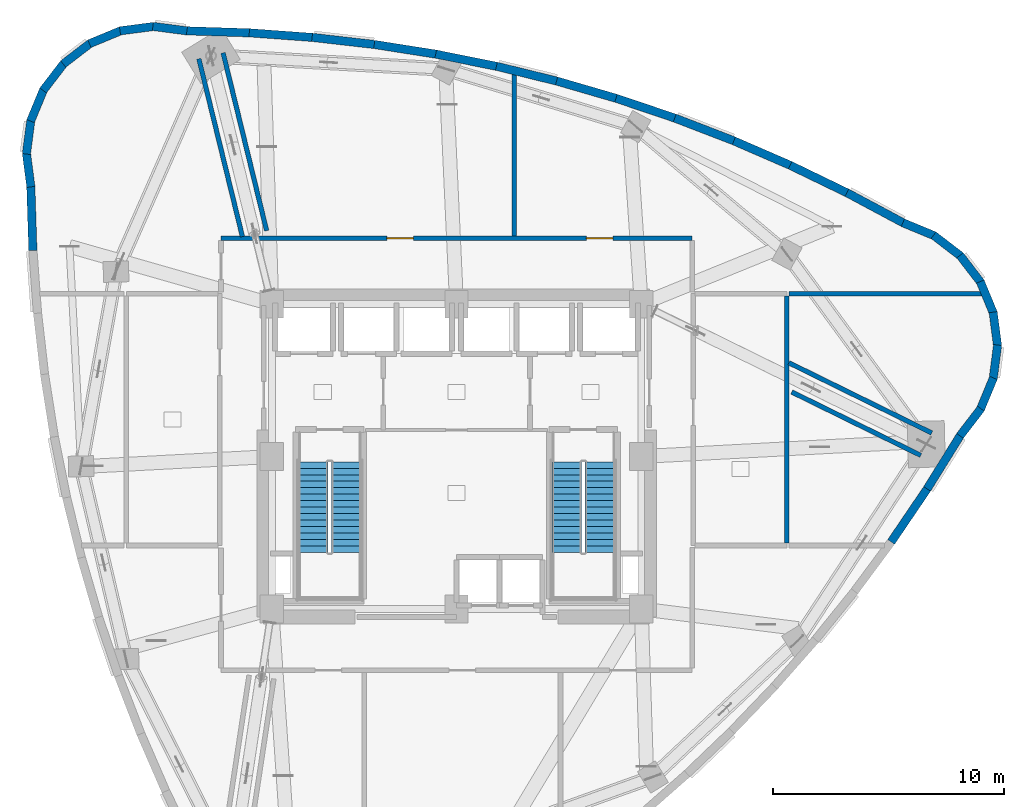
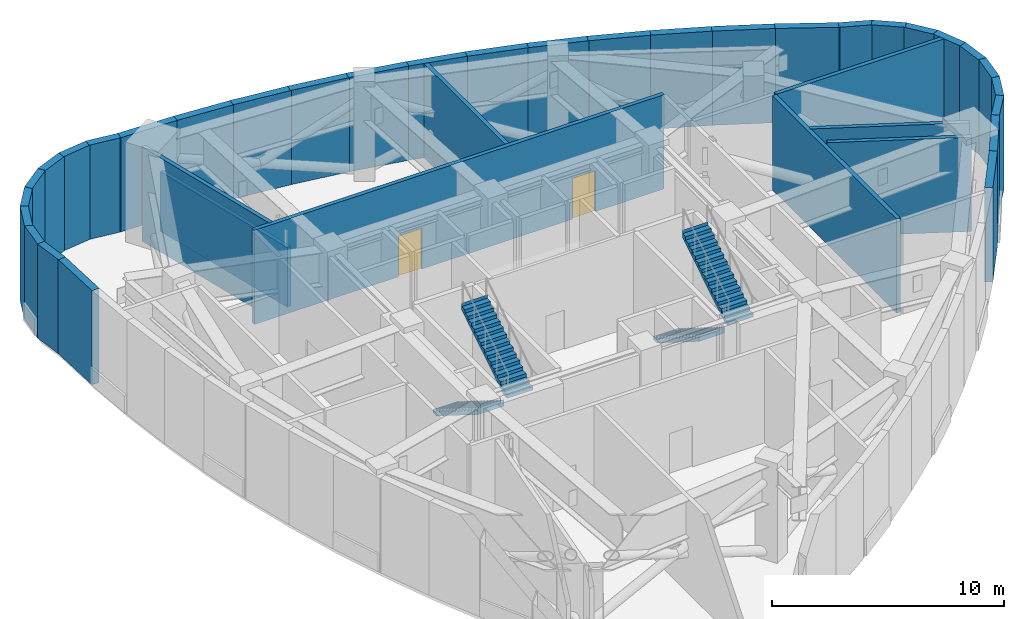
# One storey, part 9 of 12: 39 walls, 4 stair flights, 2 doors, 2 openings, 2 elements without a shape of their own.
"""IFC4 building model written with IfcOpenShell, lengths in metres."""

from ifc_helpers import new_model, si_unit, direction, frame, frame_2d, origin, place, context, subcontext, project, spatial, polyline, rectangle, outline, extrude, material, layer, layer_set, type_object, element, fill, aggregate, save


model = new_model("IFC4")

# Units and contexts
model_context = context("Model", 3, precision=1e-05, world=origin(), true_north=direction((0.0, 1.0)))
body_context = subcontext(model_context, "Body", "Model", "MODEL_VIEW")
ifc_project = project(units=[si_unit("LENGTHUNIT", "METRE"), si_unit("AREAUNIT", "SQUARE_METRE"), si_unit("VOLUMEUNIT", "CUBIC_METRE"), si_unit("PLANEANGLEUNIT", "RADIAN"), si_unit("MASSUNIT", "GRAM", prefix="KILO")], contexts=[model_context])

# Site, building, storey
site_placement = place(None, origin())
site = spatial("IfcSite", under=ifc_project, at=site_placement, CompositionType="ELEMENT")
building_placement = place(site_placement, origin())
building = spatial("IfcBuilding", under=site, at=building_placement, Name="Ndelora Gate Hotel", CompositionType="ELEMENT")
storey_placement = place(building_placement, frame((0.0, 0.0, 168.5)))
storey = spatial("IfcBuildingStorey", under=building, at=storey_placement, Name="L42", CompositionType="ELEMENT", Elevation=168.5)

# Walls
ifc_material_1 = material(Name="Clay Brick Masonry", Category="masonry")
ifc_layer_1 = layer(ifc_material_1, 0.360107421875)
ifc_layer_set_1 = layer_set([ifc_layer_1], Name="Clay Brick Masonry")
wall_type_1 = type_object("IfcWallType", Name="WL-BRICK-360", PredefinedType="SOLIDWALL", material=ifc_layer_set_1)
for number, where, z_axis, x_axis, name in (
    (1, (-13.14892578125, 18.62744140625, 0.0), (0.0, 0.0, 1.0), (0.991431910976, -0.130624522576, 0.0), "L42 Tower Brick Pier-and-Spandrel Wall TWR-1"),
    (2, (-14.572509765625, 18.433349609375, 0.0), (0.0, 0.0, 1.0), (0.991431910976, 0.130624522576, 0.0), "L42 Tower Brick Pier-and-Spandrel Wall TWR-2"),
    (3, (-15.897216796875, 17.877685546875, 0.0), (0.0, 0.0, 1.0), (0.923886669429, 0.382666201867, 0.0), "L42 Tower Brick Pier-and-Spandrel Wall TWR-3"),
    (4, (-17.032958984375, 16.998046875, 0.0), (0.0, 0.0, 1.0), (0.793325936538, 0.608797140611, 0.0), "L42 Tower Brick Pier-and-Spandrel Wall TWR-4"),
    (5, (-17.902587890625, 15.854248046875, 0.0), (0.0, 0.0, 1.0), (0.608797140611, 0.793325936538, 0.0), "L42 Tower Brick Pier-and-Spandrel Wall TWR-5"),
    (6, (-18.4462890625, 14.5244140625, 0.0), (0.0, 0.0, 1.0), (0.382666201867, 0.923886669429, 0.0), "L42 Tower Brick Pier-and-Spandrel Wall TWR-6"),
    (7, (-18.62744140625, 13.099365234375, 0.0), (0.0, 0.0, 1.0), (0.130624522576, 0.991431910976, 0.0), "L42 Tower Brick Pier-and-Spandrel Wall TWR-7"),
    (8, (-18.433349609375, 11.67578125, 0.0), (0.0, 0.0, 1.0), (-0.130624522576, 0.991431910976, 0.0), "L42 Tower Brick Pier-and-Spandrel Wall TWR-8"),
):
    element("IfcWall", number, at=place(storey_placement, frame(where, z_axis=z_axis, x_axis=x_axis)), inside=storey, type_object=wall_type_1, Name=name, PredefinedType="SOLIDWALL", context=body_context, shape_type="SweptSolid", body=[
        extrude(rectangle(XDim=1.48583984375, YDim=0.360107421875, at=frame_2d((0.742919921875, 0.0))), origin(), (0.0, 0.0, 1.0), 4.9599609375),
    ])
wall_1_placement = place(storey_placement, frame((-18.34765625, 8.92578125, 0.0), z_axis=(0.0, 0.0, 1.0), x_axis=(-0.032072783156, 0.999485535954, 0.0)))
element("IfcWall", 9, at=wall_1_placement, inside=storey, type_object=wall_type_1, Name="L42 Tower Brick Pier-and-Spandrel Wall TWR-9", PredefinedType="SOLIDWALL", context=body_context, shape_type="SweptSolid", body=[
    extrude(rectangle(XDim=2.80126953125, YDim=0.360107421875, at=frame_2d((1.400634765625, 0.0))), origin(), (0.0, 0.0, 1.0), 4.9599609375),
])
wall_2_placement = place(storey_placement, frame((20.379638671875, -1.40185546875, 0.0), z_axis=(0.0, 0.0, 1.0), x_axis=(-0.56165831684, -0.827369285824, 0.0)))
element("IfcWall", 10, at=wall_2_placement, inside=storey, type_object=wall_type_1, Name="L42 Tower Brick Pier-and-Spandrel Wall TWR-39", PredefinedType="SOLIDWALL", context=body_context, shape_type="SweptSolid", body=[
    extrude(rectangle(XDim=2.777587890625, YDim=0.360107421875, at=frame_2d((1.388671875, 0.0))), origin(), (0.0, 0.0, 1.0), 4.9599609375),
])
wall_3_placement = place(storey_placement, frame((21.830078125, 0.935791015625, 0.0), z_axis=(0.0, 0.0, 1.0), x_axis=(-0.527599341891, -0.849493339842, 0.0)))
element("IfcWall", 11, at=wall_3_placement, inside=storey, type_object=wall_type_1, Name="L42 Tower Brick Pier-and-Spandrel Wall TWR-40", PredefinedType="SOLIDWALL", context=body_context, shape_type="SweptSolid", body=[
    extrude(rectangle(XDim=2.801025390625, YDim=0.360107421875, at=frame_2d((1.400390625, 0.0))), origin(), (0.0, 0.0, 1.0), 4.9599609375),
])
for number, where, z_axis, x_axis, name in (
    (12, (22.706298828125, 2.073486328125, 0.0), (0.0, 0.0, 1.0), (-0.608876509188, -0.793265022902, 0.0), "L42 Tower Brick Pier-and-Spandrel Wall TWR-41"),
    (13, (23.25, 3.4033203125, 0.0), (0.0, 0.0, 1.0), (-0.382724298331, -0.923862604215, 0.0), "L42 Tower Brick Pier-and-Spandrel Wall TWR-42"),
):
    element("IfcWall", number, at=place(storey_placement, frame(where, z_axis=z_axis, x_axis=x_axis)), inside=storey, type_object=wall_type_1, Name=name, PredefinedType="SOLIDWALL", context=body_context, shape_type="SweptSolid", body=[
        extrude(rectangle(XDim=1.485595703125, YDim=0.360107421875, at=frame_2d((0.74267578125, 0.0))), origin(), (0.0, 0.0, 1.0), 4.9599609375),
    ])
for number, where, z_axis, x_axis, name in (
    (14, (23.43115234375, 4.82861328125, 0.0), (0.0, 0.0, 1.0), (-0.130463013345, -0.991453176983, 0.0), "L42 Tower Brick Pier-and-Spandrel Wall TWR-43"),
    (15, (23.2373046875, 6.252197265625, 0.0), (0.0, 0.0, 1.0), (0.130463013345, -0.991453176983, 0.0), "L42 Tower Brick Pier-and-Spandrel Wall TWR-44"),
    (16, (22.681396484375, 7.576904296875, 0.0), (0.0, 0.0, 1.0), (0.382666201867, -0.923886669429, 0.0), "L42 Tower Brick Pier-and-Spandrel Wall TWR-45"),
    (17, (21.8017578125, 8.712646484375, 0.0), (0.0, 0.0, 1.0), (0.608797140611, -0.793325936538, 0.0), "L42 Tower Brick Pier-and-Spandrel Wall TWR-46"),
):
    element("IfcWall", number, at=place(storey_placement, frame(where, z_axis=z_axis, x_axis=x_axis)), inside=storey, type_object=wall_type_1, Name=name, PredefinedType="SOLIDWALL", context=body_context, shape_type="SweptSolid", body=[
        extrude(rectangle(XDim=1.48583984375, YDim=0.360107421875, at=frame_2d((0.742919921875, 0.0))), origin(), (0.0, 0.0, 1.0), 4.9599609375),
    ])
for number, where, z_axis, x_axis, name in (
    (18, (20.658203125, 9.58203125, 0.0), (0.0, 0.0, 1.0), (0.793405299012, -0.608693709101, 0.0), "L42 Tower Brick Pier-and-Spandrel Wall TWR-47"),
    (19, (19.328369140625, 10.1259765625, 0.0), (0.0, 0.0, 1.0), (0.923862604215, -0.382724298331, 0.0), "L42 Tower Brick Pier-and-Spandrel Wall TWR-48"),
):
    element("IfcWall", number, at=place(storey_placement, frame(where, z_axis=z_axis, x_axis=x_axis)), inside=storey, type_object=wall_type_1, Name=name, PredefinedType="SOLIDWALL", context=body_context, shape_type="SweptSolid", body=[
        extrude(rectangle(XDim=1.485595703125, YDim=0.360107421875, at=frame_2d((0.74267578125, 0.0))), origin(), (0.0, 0.0, 1.0), 4.9599609375),
    ])
wall_4_placement = place(storey_placement, frame((16.90380859375, 11.426513671875, 0.0), z_axis=(0.0, 0.0, 1.0), x_axis=(0.881615984827, -0.471967430335, 0.0)))
element("IfcWall", 20, at=wall_4_placement, inside=storey, type_object=wall_type_1, Name="L42 Tower Brick Pier-and-Spandrel Wall TWR-49", PredefinedType="SOLIDWALL", context=body_context, shape_type="SweptSolid", body=[
    extrude(rectangle(XDim=2.801025390625, YDim=0.360107421875, at=frame_2d((1.400390625, 0.0))), origin(), (0.0, 0.0, 1.0), 4.9599609375),
])
wall_5_placement = place(storey_placement, frame((14.4482421875, 12.614013671875, 0.0), z_axis=(0.0, 0.0, 1.0), x_axis=(0.900101439341, -0.435680386174, 0.0)))
element("IfcWall", 21, at=wall_5_placement, inside=storey, type_object=wall_type_1, Name="L42 Tower Brick Pier-and-Spandrel Wall TWR-50", PredefinedType="SOLIDWALL", context=body_context, shape_type="SweptSolid", body=[
    extrude(rectangle(XDim=2.77783203125, YDim=0.360107421875, at=frame_2d((1.388916015625, 0.0))), origin(), (0.0, 0.0, 1.0), 4.9599609375),
])
wall_6_placement = place(storey_placement, frame((11.96337890625, 13.691650390625, 0.0), z_axis=(0.0, 0.0, 1.0), x_axis=(0.917299266068, -0.398198513898, 0.0)))
element("IfcWall", 22, at=wall_6_placement, inside=storey, type_object=wall_type_1, Name="L42 Tower Brick Pier-and-Spandrel Wall TWR-51", PredefinedType="SOLIDWALL", context=body_context, shape_type="SweptSolid", body=[
    extrude(rectangle(XDim=2.75830078125, YDim=0.360107421875, at=frame_2d((1.379150390625, 0.0))), origin(), (0.0, 0.0, 1.0), 4.9599609375),
])
wall_7_placement = place(storey_placement, frame((9.44921875, 14.658935546875, 0.0), z_axis=(0.0, 0.0, 1.0), x_axis=(0.933150534572, -0.359485854837, 0.0)))
element("IfcWall", 23, at=wall_7_placement, inside=storey, type_object=wall_type_1, Name="L42 Tower Brick Pier-and-Spandrel Wall TWR-52", PredefinedType="SOLIDWALL", context=body_context, shape_type="SweptSolid", body=[
    extrude(rectangle(XDim=2.74365234375, YDim=0.360107421875, at=frame_2d((1.371826171875, 0.0))), origin(), (0.0, 0.0, 1.0), 4.9599609375),
])
wall_8_placement = place(storey_placement, frame((6.9052734375, 15.516357421875, 0.0), z_axis=(0.0, 0.0, 1.0), x_axis=(0.947480104939, -0.319814713145, 0.0)))
element("IfcWall", 24, at=wall_8_placement, inside=storey, type_object=wall_type_1, Name="L42 Tower Brick Pier-and-Spandrel Wall TWR-53", PredefinedType="SOLIDWALL", context=body_context, shape_type="SweptSolid", body=[
    extrude(rectangle(XDim=2.734375, YDim=0.360107421875, at=frame_2d((1.3671875, 0.0))), origin(), (0.0, 0.0, 1.0), 4.9599609375),
])
wall_9_placement = place(storey_placement, frame((4.33203125, 16.263671875, 0.0), z_axis=(0.0, 0.0, 1.0), x_axis=(0.960193115651, -0.279337037744, 0.0)))
element("IfcWall", 25, at=wall_9_placement, inside=storey, type_object=wall_type_1, Name="L42 Tower Brick Pier-and-Spandrel Wall TWR-54", PredefinedType="SOLIDWALL", context=body_context, shape_type="SweptSolid", body=[
    extrude(rectangle(XDim=2.7294921875, YDim=0.360107421875, at=frame_2d((1.36474609375, 0.0))), origin(), (0.0, 0.0, 1.0), 4.9599609375),
])
wall_10_placement = place(storey_placement, frame((1.729248046875, 16.901123046875, 0.0), z_axis=(0.0, 0.0, 1.0), x_axis=(0.97120108265, -0.238261320948, 0.0)))
element("IfcWall", 26, at=wall_10_placement, inside=storey, type_object=wall_type_1, Name="L42 Tower Brick Pier-and-Spandrel Wall TWR-55", PredefinedType="SOLIDWALL", context=body_context, shape_type="SweptSolid", body=[
    extrude(rectangle(XDim=2.729736328125, YDim=0.360107421875, at=frame_2d((1.36474609375, 0.0))), origin(), (0.0, 0.0, 1.0), 4.9599609375),
])
wall_11_placement = place(storey_placement, frame((-0.90283203125, 17.42822265625, 0.0), z_axis=(0.0, 0.0, 1.0), x_axis=(0.980446518456, -0.196785732326, 0.0)))
element("IfcWall", 27, at=wall_11_placement, inside=storey, type_object=wall_type_1, Name="L42 Tower Brick Pier-and-Spandrel Wall TWR-56", PredefinedType="SOLIDWALL", context=body_context, shape_type="SweptSolid", body=[
    extrude(rectangle(XDim=2.734375, YDim=0.360107421875, at=frame_2d((1.3671875, 0.0))), origin(), (0.0, 0.0, 1.0), 4.9599609375),
])
wall_12_placement = place(storey_placement, frame((-3.564453125, 17.845703125, 0.0), z_axis=(0.0, 0.0, 1.0), x_axis=(0.987862308249, -0.155332095659, 0.0)))
element("IfcWall", 28, at=wall_12_placement, inside=storey, type_object=wall_type_1, Name="L42 Tower Brick Pier-and-Spandrel Wall TWR-57", PredefinedType="SOLIDWALL", context=body_context, shape_type="SweptSolid", body=[
    extrude(rectangle(XDim=2.744140625, YDim=0.360107421875, at=frame_2d((1.3720703125, 0.0))), origin(), (0.0, 0.0, 1.0), 4.9599609375),
])
wall_13_placement = place(storey_placement, frame((-6.25537109375, 18.15283203125, 0.0), z_axis=(0.0, 0.0, 1.0), x_axis=(0.993501253989, -0.113821168163, 0.0)))
element("IfcWall", 29, at=wall_13_placement, inside=storey, type_object=wall_type_1, Name="L42 Tower Brick Pier-and-Spandrel Wall TWR-58", PredefinedType="SOLIDWALL", context=body_context, shape_type="SweptSolid", body=[
    extrude(rectangle(XDim=2.75830078125, YDim=0.360107421875, at=frame_2d((1.379150390625, 0.0))), origin(), (0.0, 0.0, 1.0), 4.9599609375),
])
wall_14_placement = place(storey_placement, frame((-8.9755859375, 18.35009765625, 0.0), z_axis=(0.0, 0.0, 1.0), x_axis=(0.99735412595, -0.072696268479, 0.0)))
element("IfcWall", 30, at=wall_14_placement, inside=storey, type_object=wall_type_1, Name="L42 Tower Brick Pier-and-Spandrel Wall TWR-59", PredefinedType="SOLIDWALL", context=body_context, shape_type="SweptSolid", body=[
    extrude(rectangle(XDim=2.77734375, YDim=0.360107421875, at=frame_2d((1.388671875, 0.0))), origin(), (0.0, 0.0, 1.0), 4.9599609375),
])
wall_15_placement = place(storey_placement, frame((-11.7255859375, 18.4375, 0.0), z_axis=(0.0, 0.0, 1.0), x_axis=(0.999485535954, -0.032072783156, 0.0)))
element("IfcWall", 31, at=wall_15_placement, inside=storey, type_object=wall_type_1, Name="L42 Tower Brick Pier-and-Spandrel Wall TWR-60", PredefinedType="SOLIDWALL", context=body_context, shape_type="SweptSolid", body=[
    extrude(rectangle(XDim=2.80126953125, YDim=0.360107421875, at=frame_2d((1.400634765625, 0.0))), origin(), (0.0, 0.0, 1.0), 4.9599609375),
])
ifc_material_2 = material(Name="Concrete C40/50", Category="concrete")
ifc_layer_2 = layer(ifc_material_2, 0.199951171875)
ifc_layer_set_2 = layer_set([ifc_layer_2], Name="Concrete C40/50")
wall_type_2 = type_object("IfcWallType", Name="WL-FIRE-200", PredefinedType="PARTITIONING", material=ifc_layer_set_2)
wall_16_placement = place(storey_placement, frame((-8.222412109375, 9.778564453125, 0.0), z_axis=(0.0, 0.0, 1.0), x_axis=(-0.237874657287, 0.97129585988, 0.0)))
element("IfcWall", 32, at=wall_16_placement, inside=storey, type_object=wall_type_2, Name="L42 Interior Wall IW-2", PredefinedType="PARTITIONING", context=body_context, shape_type="SweptSolid", body=[
    extrude(rectangle(XDim=7.929443359375, YDim=0.199951171875, at=frame_2d((3.96484375, 0.0))), origin(), (0.0, 0.0, 1.0), 3.139892578125),
])
wall_17_placement = place(storey_placement, frame((-9.271484375, 9.521484375, 0.0), z_axis=(0.0, 0.0, 1.0), x_axis=(-0.237874657287, 0.97129585988, 0.0)))
element("IfcWall", 33, at=wall_17_placement, inside=storey, type_object=wall_type_2, Name="L42 Interior Wall IW-2", PredefinedType="PARTITIONING", context=body_context, shape_type="SweptSolid", body=[
    extrude(rectangle(XDim=7.929443359375, YDim=0.199951171875, at=frame_2d((3.96484375, 0.0))), origin(), (0.0, 0.0, 1.0), 4.9599609375),
])
wall_18_placement = place(storey_placement, frame((14.513916015625, 2.796630859375, 0.0), z_axis=(0.0, 0.0, 1.0), x_axis=(0.897447117495, -0.441122059412, 0.0)))
element("IfcWall", 34, at=wall_18_placement, inside=storey, type_object=wall_type_2, Name="L42 Interior Wall IW-2", PredefinedType="PARTITIONING", context=body_context, shape_type="SweptSolid", body=[
    extrude(rectangle(XDim=6.230712890625, YDim=0.199951171875, at=frame_2d((3.115234375, 0.0))), origin(), (0.0, 0.0, 1.0), 4.9599609375),
])
wall_19_placement = place(storey_placement, frame((14.390380859375, 4.060546875, 0.0), z_axis=(0.0, 0.0, 1.0), x_axis=(0.897456767905, -0.441102425454, 0.0)))
element("IfcWall", 35, at=wall_19_placement, inside=storey, type_object=wall_type_2, Name="L42 Interior Wall IW-2", PredefinedType="PARTITIONING", context=body_context, shape_type="SweptSolid", body=[
    extrude(rectangle(XDim=6.899169921875, YDim=0.199951171875, at=frame_2d((3.44970703125, 0.0))), origin(), (0.0, 0.0, 1.0), 4.9599609375),
])
wall_20_placement = place(storey_placement, frame((14.300048828125, 6.949951171875, 0.0), z_axis=(0.0, 0.0, 1.0), x_axis=(0.0, -1.0, 0.0)))
element("IfcWall", 36, at=wall_20_placement, inside=storey, type_object=wall_type_2, Name="L42 Interior Wall IW-2", PredefinedType="PARTITIONING", context=body_context, shape_type="SweptSolid", body=[
    extrude(rectangle(XDim=10.699951171875, YDim=0.199951171875, at=frame_2d((5.35009765625, 0.0))), origin(), (0.0, 0.0, 1.0), 4.9599609375),
])
wall_21_placement = place(storey_placement, frame((2.5, 9.550048828125, 0.0), z_axis=(0.0, 0.0, 1.0), x_axis=(0.0, 1.0, 0.0)))
element("IfcWall", 37, at=wall_21_placement, inside=storey, type_object=wall_type_2, Name="L42 Interior Wall IW-2", PredefinedType="PARTITIONING", context=body_context, shape_type="SweptSolid", body=[
    extrude(rectangle(XDim=7.017822265625, YDim=0.199951171875, at=frame_2d((3.5087890625, 0.0))), origin(), (0.0, 0.0, 1.0), 4.9599609375),
])
wall_22_placement = place(storey_placement, frame((14.39990234375, 7.050048828125, 0.0), z_axis=(0.0, 0.0, 1.0), x_axis=(1.0, 0.0, 0.0)))
element("IfcWall", 38, at=wall_22_placement, inside=storey, type_object=wall_type_2, Name="L42 Interior Wall IW-2", PredefinedType="PARTITIONING", context=body_context, shape_type="SweptSolid", body=[
    extrude(rectangle(XDim=8.348388671875, YDim=0.199951171875, at=frame_2d((4.17431640625, 0.0))), origin(), (0.0, 0.0, 1.0), 4.9599609375),
])

# Wall, openings, doors
wall_23_placement = place(storey_placement, frame((10.199951171875, 9.449951171875, 0.0), z_axis=(0.0, 0.0, 1.0), x_axis=(-1.0, 0.0, 0.0)))
wall_23 = element("IfcWall", 39, at=wall_23_placement, inside=storey, type_object=wall_type_2, Name="L42 Interior Wall IW-2", PredefinedType="PARTITIONING", context=body_context, shape_type="SweptSolid", body=[
    extrude(rectangle(XDim=20.39990234375, YDim=0.199951171875, at=frame_2d((10.199951171875, 0.0))), origin(), (0.0, 0.0, 1.0), 4.9599609375),
])
opening_1_placement = place(wall_23_placement, frame((12.063720703125, 0.0, 0.0)))
opening_1 = element("IfcOpeningElement", 40, at=opening_1_placement, cuts=wall_23, Name="Opening FD1", PredefinedType="OPENING", context=body_context, shape_type="SweptSolid", body=[
    extrude(rectangle(XDim=1.14990234375, YDim=2.14990234375, at=frame_2d((0.574951171875, 1.074951171875))), frame((0.0, 0.10986328125, 0.0), z_axis=(0.0, -1.0, 0.0), x_axis=(1.0, 0.0, 0.0)), (0.0, 0.0, 1.0), 0.219970703125),
])
opening_2_placement = place(wall_23_placement, frame((3.425048828125, 0.0, 0.0)))
opening_2 = element("IfcOpeningElement", 41, at=opening_2_placement, cuts=wall_23, Name="Opening FD1", PredefinedType="OPENING", context=body_context, shape_type="SweptSolid", body=[
    extrude(rectangle(XDim=1.14990234375, YDim=2.14990234375, at=frame_2d((0.574951171875, 1.074951171875))), frame((0.0, 0.10986328125, 0.0), z_axis=(0.0, -1.0, 0.0), x_axis=(1.0, 0.0, 0.0)), (0.0, 0.0, 1.0), 0.219970703125),
])
ifc_material_3 = material(Name="Fire-Rated Timber-Veneer Steel Core", Category="steel")
door_type = type_object("IfcDoorType", Name="DR-FD60", OperationType="SINGLE_SWING_LEFT", PredefinedType="DOOR", material=ifc_material_3)
door_1_placement = place(opening_1_placement, origin())
door_1 = element("IfcDoor", 42, at=door_1_placement, inside=storey, type_object=door_type, Name="L42 Chiller and Heat Rejection Plant Room Fire Door", OperationType="SINGLE_SWING_RIGHT", OverallHeight=2.14990234375, OverallWidth=1.14990234375, PredefinedType="DOOR", context=body_context, shape_type="SweptSolid", body=[
    extrude(rectangle(XDim=1.14990234375, YDim=2.14990234375, at=frame_2d((0.574951171875, 1.074951171875))), frame((0.0, 0.02490234375, 0.0), z_axis=(0.0, -1.0, 0.0), x_axis=(1.0, 0.0, 0.0)), (0.0, 0.0, 1.0), 0.050048828125),
])
fill(opening_1, door_1)
door_2_placement = place(opening_2_placement, origin())
door_2 = element("IfcDoor", 43, at=door_2_placement, inside=storey, type_object=door_type, Name="L42 Highland AHU Ventilation Fan Room Fire Door", OperationType="SINGLE_SWING_RIGHT", OverallHeight=2.14990234375, OverallWidth=1.14990234375, PredefinedType="DOOR", context=body_context, shape_type="SweptSolid", body=[
    extrude(rectangle(XDim=1.14990234375, YDim=2.14990234375, at=frame_2d((0.574951171875, 1.074951171875))), frame((0.0, 0.02490234375, 0.0), z_axis=(0.0, -1.0, 0.0), x_axis=(1.0, 0.0, 0.0)), (0.0, 0.0, 1.0), 0.050048828125),
])
fill(opening_2, door_2)

# Stair, stair flights
ifc_material_4 = material(Name="Precast concrete C40/50", Category="concrete")
stair_type = type_object("IfcStairType", Name="STR-DOG-CORE", PredefinedType="HALF_TURN_STAIR", material=ifc_material_4)
stair_1_placement = place(storey_placement, origin())
stair_1 = element("IfcStair", 44, at=stair_1_placement, inside=storey, type_object=stair_type, Name="L42 Protected Core Exit Stair ST4", PredefinedType="HALF_TURN_STAIR")
stair_flight_type = type_object("IfcStairFlightType", Name="STF-PRECAST", PredefinedType="STRAIGHT", material=ifc_material_4)
stair_flight_1_placement = place(storey_placement, frame((-6.2099609375, -0.22998046875, 0.0), z_axis=(0.0, 0.0, 1.0), x_axis=(0.0, -1.0, 0.0)))
stair_flight_1 = element("IfcStairFlight", 45, at=stair_flight_1_placement, type_object=stair_flight_type, Name="ST4 flight 1", NumberOfRisers=15, NumberOfTreads=14, PredefinedType="STRAIGHT", RiserHeight=0.175, TreadLength=0.28, context=body_context, shape_type="SweptSolid", body=[
    extrude(outline(polyline([(-0.00048828125, 0.0), (-0.00048828125, 0.175048828125), (0.0, 0.175048828125), (0.280029296875, 0.175048828125), (0.280029296875, 0.35009765625), (0.56005859375, 0.35009765625), (0.56005859375, 0.52490234375), (0.840087890625, 0.52490234375), (0.840087890625, 0.699951171875), (1.1201171875, 0.699951171875), (1.1201171875, 0.875), (1.39990234375, 0.875), (1.39990234375, 1.050048828125), (1.679931640625, 1.050048828125), (1.679931640625, 1.22509765625), (1.9599609375, 1.22509765625), (1.9599609375, 1.39990234375), (2.239990234375, 1.39990234375), (2.239990234375, 1.574951171875), (2.52001953125, 1.574951171875), (2.52001953125, 1.75), (2.800048828125, 1.75), (2.800048828125, 1.925048828125), (3.080078125, 1.925048828125), (3.080078125, 2.10009765625), (3.360107421875, 2.10009765625), (3.360107421875, 2.27490234375), (3.639892578125, 2.27490234375), (3.639892578125, 2.449951171875), (3.919921875, 2.449951171875), (3.919921875, 2.625), (3.920654296875, 2.625), (3.920654296875, 2.445068359375), (3.919921875, 2.273193359375), (0.28271484375, 0.0), (-0.00048828125, 0.0)])), frame((0.0, 0.64013671875, 0.0), z_axis=(0.0, -1.0, 0.0), x_axis=(1.0, 0.0, 0.0)), (0.0, 0.0, 1.0), 1.280029296875),
])
stair_flight_2_placement = place(storey_placement, frame((-4.77001953125, -4.14990234375, 2.625), z_axis=(0.0, 0.0, 1.0), x_axis=(0.0, 1.0, 0.0)))
stair_flight_2 = element("IfcStairFlight", 46, at=stair_flight_2_placement, type_object=stair_flight_type, Name="ST4 flight 2", NumberOfRisers=15, NumberOfTreads=14, PredefinedType="STRAIGHT", RiserHeight=0.175, TreadLength=0.28, context=body_context, shape_type="SweptSolid", body=[
    extrude(outline(polyline([(-0.00048828125, 0.0), (-0.00048828125, 0.175048828125), (0.0, 0.175048828125), (0.280029296875, 0.175048828125), (0.280029296875, 0.35009765625), (0.56005859375, 0.35009765625), (0.56005859375, 0.52490234375), (0.840087890625, 0.52490234375), (0.840087890625, 0.699951171875), (1.1201171875, 0.699951171875), (1.1201171875, 0.875), (1.39990234375, 0.875), (1.39990234375, 1.050048828125), (1.679931640625, 1.050048828125), (1.679931640625, 1.22509765625), (1.9599609375, 1.22509765625), (1.9599609375, 1.39990234375), (2.239990234375, 1.39990234375), (2.239990234375, 1.574951171875), (2.52001953125, 1.574951171875), (2.52001953125, 1.75), (2.800048828125, 1.75), (2.800048828125, 1.925048828125), (3.080078125, 1.925048828125), (3.080078125, 2.10009765625), (3.360107421875, 2.10009765625), (3.360107421875, 2.27490234375), (3.639892578125, 2.27490234375), (3.639892578125, 2.449951171875), (3.919921875, 2.449951171875), (3.919921875, 2.625), (3.920654296875, 2.625), (3.920654296875, 2.445068359375), (3.919921875, 2.273193359375), (0.28271484375, 0.0), (-0.00048828125, 0.0)])), frame((0.0, 0.64013671875, 0.0), z_axis=(0.0, -1.0, 0.0), x_axis=(1.0, 0.0, 0.0)), (0.0, 0.0, 1.0), 1.280029296875),
])
aggregate(stair_1, [stair_flight_1, stair_flight_2])

stair_2_placement = place(storey_placement, origin())
stair_2 = element("IfcStair", 47, at=stair_2_placement, inside=storey, type_object=stair_type, Name="L42 Protected Core Exit Stair ST5", PredefinedType="HALF_TURN_STAIR")
stair_flight_3_placement = place(storey_placement, frame((4.77001953125, -0.22998046875, 0.0), z_axis=(0.0, 0.0, 1.0), x_axis=(0.0, -1.0, 0.0)))
stair_flight_3 = element("IfcStairFlight", 48, at=stair_flight_3_placement, type_object=stair_flight_type, Name="ST5 flight 1", NumberOfRisers=15, NumberOfTreads=14, PredefinedType="STRAIGHT", RiserHeight=0.175, TreadLength=0.28, context=body_context, shape_type="SweptSolid", body=[
    extrude(outline(polyline([(-0.00048828125, 0.0), (-0.00048828125, 0.175048828125), (0.0, 0.175048828125), (0.280029296875, 0.175048828125), (0.280029296875, 0.35009765625), (0.56005859375, 0.35009765625), (0.56005859375, 0.52490234375), (0.840087890625, 0.52490234375), (0.840087890625, 0.699951171875), (1.1201171875, 0.699951171875), (1.1201171875, 0.875), (1.39990234375, 0.875), (1.39990234375, 1.050048828125), (1.679931640625, 1.050048828125), (1.679931640625, 1.22509765625), (1.9599609375, 1.22509765625), (1.9599609375, 1.39990234375), (2.239990234375, 1.39990234375), (2.239990234375, 1.574951171875), (2.52001953125, 1.574951171875), (2.52001953125, 1.75), (2.800048828125, 1.75), (2.800048828125, 1.925048828125), (3.080078125, 1.925048828125), (3.080078125, 2.10009765625), (3.360107421875, 2.10009765625), (3.360107421875, 2.27490234375), (3.639892578125, 2.27490234375), (3.639892578125, 2.449951171875), (3.919921875, 2.449951171875), (3.919921875, 2.625), (3.920654296875, 2.625), (3.920654296875, 2.445068359375), (3.919921875, 2.273193359375), (0.28271484375, 0.0), (-0.00048828125, 0.0)])), frame((0.0, 0.64013671875, 0.0), z_axis=(0.0, -1.0, 0.0), x_axis=(1.0, 0.0, 0.0)), (0.0, 0.0, 1.0), 1.280029296875),
])
stair_flight_4_placement = place(storey_placement, frame((6.2099609375, -4.14990234375, 2.625), z_axis=(0.0, 0.0, 1.0), x_axis=(0.0, 1.0, 0.0)))
stair_flight_4 = element("IfcStairFlight", 49, at=stair_flight_4_placement, type_object=stair_flight_type, Name="ST5 flight 2", NumberOfRisers=15, NumberOfTreads=14, PredefinedType="STRAIGHT", RiserHeight=0.175, TreadLength=0.28, context=body_context, shape_type="SweptSolid", body=[
    extrude(outline(polyline([(-0.00048828125, 0.0), (-0.00048828125, 0.175048828125), (0.0, 0.175048828125), (0.280029296875, 0.175048828125), (0.280029296875, 0.35009765625), (0.56005859375, 0.35009765625), (0.56005859375, 0.52490234375), (0.840087890625, 0.52490234375), (0.840087890625, 0.699951171875), (1.1201171875, 0.699951171875), (1.1201171875, 0.875), (1.39990234375, 0.875), (1.39990234375, 1.050048828125), (1.679931640625, 1.050048828125), (1.679931640625, 1.22509765625), (1.9599609375, 1.22509765625), (1.9599609375, 1.39990234375), (2.239990234375, 1.39990234375), (2.239990234375, 1.574951171875), (2.52001953125, 1.574951171875), (2.52001953125, 1.75), (2.800048828125, 1.75), (2.800048828125, 1.925048828125), (3.080078125, 1.925048828125), (3.080078125, 2.10009765625), (3.360107421875, 2.10009765625), (3.360107421875, 2.27490234375), (3.639892578125, 2.27490234375), (3.639892578125, 2.449951171875), (3.919921875, 2.449951171875), (3.919921875, 2.625), (3.920654296875, 2.625), (3.920654296875, 2.445068359375), (3.919921875, 2.273193359375), (0.28271484375, 0.0), (-0.00048828125, 0.0)])), frame((0.0, 0.64013671875, 0.0), z_axis=(0.0, -1.0, 0.0), x_axis=(1.0, 0.0, 0.0)), (0.0, 0.0, 1.0), 1.280029296875),
])
aggregate(stair_2, [stair_flight_3, stair_flight_4])

save(model, "model.ifc")
